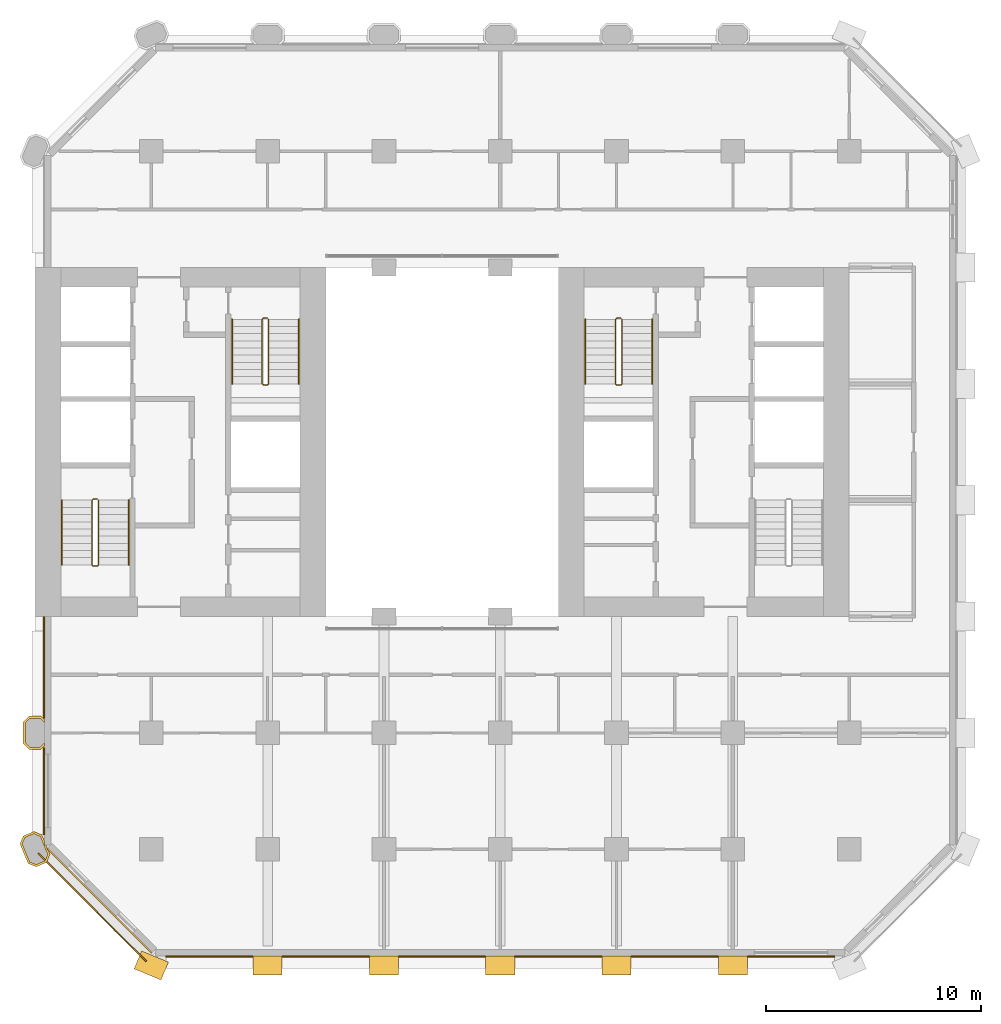
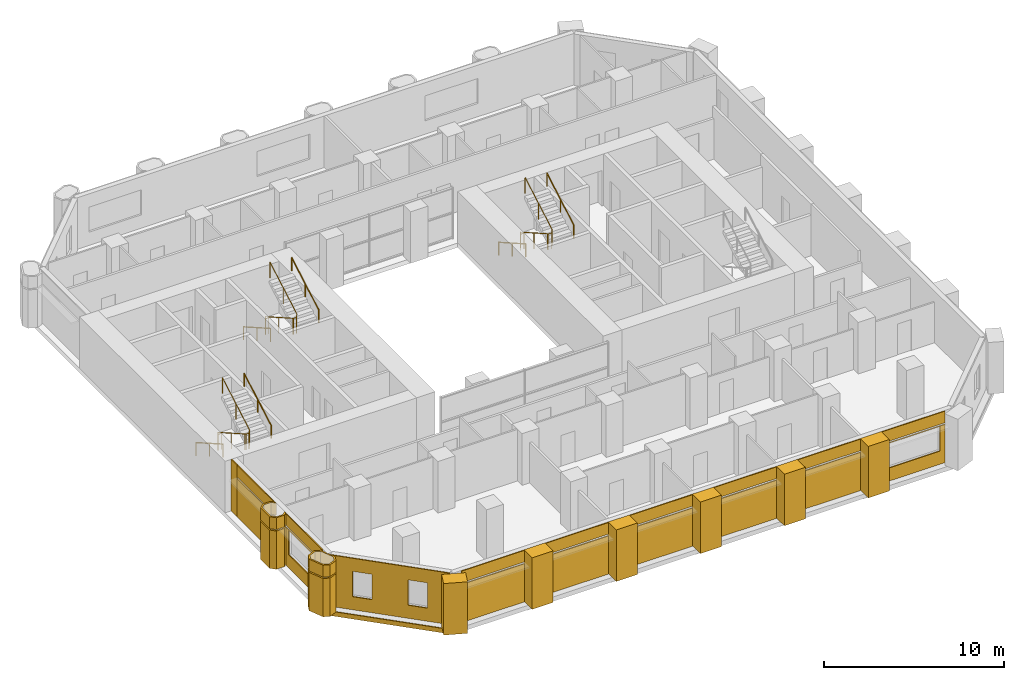
# One storey, part 12 of 13: 29 coverings, 9 railings.
"""IFC4 building model written with IfcOpenShell, lengths in metres."""

from ifc_helpers import new_model, si_unit, direction, frame, frame_2d, origin, origin_2d, place, context, subcontext, project, spatial, polyline, rectangle, circle, outline, extrude, material, layer, layer_set, type_object, element, save


model = new_model("IFC4")

# Units and contexts
model_context = context("Model", 3, precision=1e-05, world=origin(), true_north=direction((0.0, 1.0)))
body_context = subcontext(model_context, "Body", "Model", "MODEL_VIEW")
ifc_project = project(units=[si_unit("LENGTHUNIT", "METRE"), si_unit("AREAUNIT", "SQUARE_METRE"), si_unit("VOLUMEUNIT", "CUBIC_METRE"), si_unit("PLANEANGLEUNIT", "RADIAN"), si_unit("MASSUNIT", "GRAM", prefix="KILO")], contexts=[model_context])

# Site, building, storey
site_placement = place(None, origin())
site = spatial("IfcSite", under=ifc_project, at=site_placement, CompositionType="ELEMENT")
building_placement = place(site_placement, origin())
building = spatial("IfcBuilding", under=site, at=building_placement, Name="Tabaq Tower and Sports Hall", CompositionType="ELEMENT")
storey_placement = place(building_placement, frame((0.0, 0.0, 37.39990234375)))
storey = spatial("IfcBuildingStorey", under=building, at=storey_placement, Name="L07", CompositionType="ELEMENT", Elevation=37.39990234375)

# Coverings
ifc_material_1 = material(Name="Precast concrete C60/75", Category="concrete")
ifc_layer_1 = layer(ifc_material_1, 0.10009765625)
ifc_layer_set_1 = layer_set([ifc_layer_1], Name="Column cladding 100")
covering_type_1 = type_object("IfcCoveringType", Name="Column cladding 100", PredefinedType="CLADDING", material=ifc_layer_set_1)
covering_1_placement = place(storey_placement, origin())
element("IfcCovering", 1, at=covering_1_placement, inside=storey, type_object=covering_type_1, Name="Column cladding L07 PC-2B-O1", PredefinedType="CLADDING", context=body_context, shape_type="SweptSolid", body=[
    extrude(outline(polyline([(5.450439453125, 4.582275390625), (5.080078125, 4.73583984375), (4.7041015625, 5.6435546875), (4.857421875, 6.013916015625), (5.349609375, 6.217529296875), (5.7197265625, 6.064208984375), (5.849609375, 5.750732421875), (5.849609375, 5.586181640625), (5.91796875, 5.586181640625), (5.9814453125, 5.432373046875), (5.9501953125, 5.401123046875), (6.026123046875, 5.3251953125), (6.095947265625, 5.156494140625), (5.9423828125, 4.7861328125), (5.450439453125, 4.582275390625)]), holes=[polyline([(5.349609375, 6.110107421875), (4.93359375, 5.937744140625), (4.811767578125, 5.6435546875), (5.15625, 4.811767578125), (5.450439453125, 4.68994140625), (5.866455078125, 4.8623046875), (5.98828125, 5.156494140625), (5.643798828125, 5.98828125), (5.349609375, 6.110107421875)])]), origin(), (0.0, 0.0, 1.0), 2.60009765625),
])
covering_2_placement = place(storey_placement, frame((0.0, 0.0, 2.7001953125)))
element("IfcCovering", 2, at=covering_2_placement, inside=storey, type_object=covering_type_1, Name="Column cladding L07 PC-2B-O1 2", PredefinedType="CLADDING", context=body_context, shape_type="SweptSolid", body=[
    extrude(outline(polyline([(5.450439453125, 4.582275390625), (5.080078125, 4.73583984375), (4.7041015625, 5.6435546875), (4.857421875, 6.013916015625), (5.349609375, 6.217529296875), (5.7197265625, 6.064208984375), (5.849609375, 5.750732421875), (5.849609375, 5.586181640625), (5.91796875, 5.586181640625), (5.9814453125, 5.432373046875), (5.9501953125, 5.401123046875), (6.026123046875, 5.3251953125), (6.095947265625, 5.156494140625), (5.9423828125, 4.7861328125), (5.450439453125, 4.582275390625)]), holes=[polyline([(5.349609375, 6.110107421875), (4.93359375, 5.937744140625), (4.811767578125, 5.6435546875), (5.15625, 4.811767578125), (5.450439453125, 4.68994140625), (5.866455078125, 4.8623046875), (5.98828125, 5.156494140625), (5.643798828125, 5.98828125), (5.349609375, 6.110107421875)])]), origin(), (0.0, 0.0, 1.0), 0.7998046875),
])
covering_3_placement = place(storey_placement, origin())
element("IfcCovering", 3, at=covering_3_placement, inside=storey, type_object=covering_type_1, Name="Column cladding L07 PC-2C-O1", PredefinedType="CLADDING", context=body_context, shape_type="SweptSolid", body=[
    extrude(outline(polyline([(5.1337890625, 10.025390625), (4.850341796875, 10.30859375), (4.850341796875, 11.291259765625), (5.1337890625, 11.57470703125), (5.666259765625, 11.57470703125), (5.849609375, 11.391357421875), (5.849609375, 11.250732421875), (5.625244140625, 11.475341796875), (5.1748046875, 11.475341796875), (4.94970703125, 11.250244140625), (4.94970703125, 10.349853515625), (5.1748046875, 10.124755859375), (5.625244140625, 10.124755859375), (5.849609375, 10.349365234375), (5.849609375, 10.208740234375), (5.666259765625, 10.025390625), (5.1337890625, 10.025390625)])), origin(), (0.0, 0.0, 1.0), 2.60009765625),
])
covering_4_placement = place(storey_placement, frame((0.0, 0.0, 2.7001953125)))
element("IfcCovering", 4, at=covering_4_placement, inside=storey, type_object=covering_type_1, Name="Column cladding L07 PC-2C-O1 2", PredefinedType="CLADDING", context=body_context, shape_type="SweptSolid", body=[
    extrude(outline(polyline([(5.1337890625, 10.025390625), (4.850341796875, 10.30859375), (4.850341796875, 11.291259765625), (5.1337890625, 11.57470703125), (5.666259765625, 11.57470703125), (5.849609375, 11.391357421875), (5.849609375, 11.250732421875), (5.625244140625, 11.475341796875), (5.1748046875, 11.475341796875), (4.94970703125, 11.250244140625), (4.94970703125, 10.349853515625), (5.1748046875, 10.124755859375), (5.625244140625, 10.124755859375), (5.849609375, 10.349365234375), (5.849609375, 10.208740234375), (5.666259765625, 10.025390625), (5.1337890625, 10.025390625)])), origin(), (0.0, 0.0, 1.0), 0.7998046875),
])
ifc_material_2 = material(Name="Precast concrete C60/75", Category="concrete")
ifc_layer_2 = layer(ifc_material_2, 0.06005859375)
ifc_layer_set_2 = layer_set([ifc_layer_2], Name="Edge beam cladding 60")
covering_type_2 = type_object("IfcCoveringType", Name="Edge beam cladding 60", PredefinedType="CLADDING", material=ifc_layer_set_2)
covering_5_placement = place(storey_placement, frame((5.5556640625, 5.201904296875, -0.2998046875), z_axis=(0.0, 0.0, 1.0), x_axis=(0.707106781187, -0.707106781187, 0.0)))
element("IfcCovering", 5, at=covering_5_placement, inside=storey, type_object=covering_type_2, Name="Edge beam cladding L07 5", PredefinedType="CLADDING", context=body_context, shape_type="SweptSolid", body=[
    extrude(rectangle(XDim=7.087890625, YDim=0.06005859375, at=frame_2d((3.5439453125, 0.0))), origin(), (0.0, 0.0, 1.0), 0.2998046875),
])
ifc_material_3 = material(Name="White precast concrete C60/75", Category="concrete")
covering_type_3 = type_object("IfcCoveringType", Name="Pier cladding hung 1350x900", PredefinedType="CLADDING", material=ifc_material_3)
for number, where, z_axis, x_axis, name in (
    (6, (10.17626953125, 0.25830078125, 0.0), (0.0, 0.0, 1.0), (0.923893411637, -0.382649923473, 0.0), "Hung pier cladding 2/0"),
    (7, (15.52490234375, 0.0, 0.0), (0.0, 0.0, 1.0), (1.0, 0.0, 0.0), "Hung pier cladding 3/0"),
):
    element("IfcCovering", number, at=place(storey_placement, frame(where, z_axis=z_axis, x_axis=x_axis)), inside=storey, type_object=covering_type_3, Name=name, PredefinedType="CLADDING", context=body_context, shape_type="SweptSolid", body=[
        extrude(rectangle(XDim=1.35009765625, YDim=0.89990234375, at=frame_2d((0.675048828125, 0.0))), origin(), (0.0, 0.0, 1.0), 3.5),
    ])
covering_6_placement = place(storey_placement, frame((20.925048828125, 0.0, 0.0), z_axis=(0.0, 0.0, 1.0), x_axis=(1.0, 0.0, 0.0)))
element("IfcCovering", 8, at=covering_6_placement, inside=storey, type_object=covering_type_3, Name="Hung pier cladding 4/0", PredefinedType="CLADDING", context=body_context, shape_type="SweptSolid", body=[
    extrude(rectangle(XDim=1.349853515625, YDim=0.89990234375, at=frame_2d((0.6748046875, 0.0))), origin(), (0.0, 0.0, 1.0), 3.5),
])
covering_7_placement = place(storey_placement, frame((26.324951171875, 0.0, 0.0), z_axis=(0.0, 0.0, 1.0), x_axis=(1.0, 0.0, 0.0)))
element("IfcCovering", 9, at=covering_7_placement, inside=storey, type_object=covering_type_3, Name="Hung pier cladding 5/0", PredefinedType="CLADDING", context=body_context, shape_type="SweptSolid", body=[
    extrude(rectangle(XDim=1.35009765625, YDim=0.89990234375, at=frame_2d((0.675048828125, 0.0))), origin(), (0.0, 0.0, 1.0), 3.5),
])
covering_8_placement = place(storey_placement, frame((31.72509765625, 0.0, 0.0), z_axis=(0.0, 0.0, 1.0), x_axis=(1.0, 0.0, 0.0)))
element("IfcCovering", 10, at=covering_8_placement, inside=storey, type_object=covering_type_3, Name="Hung pier cladding 6/0", PredefinedType="CLADDING", context=body_context, shape_type="SweptSolid", body=[
    extrude(rectangle(XDim=1.349853515625, YDim=0.89990234375, at=frame_2d((0.6748046875, 0.0))), origin(), (0.0, 0.0, 1.0), 3.5),
])
covering_9_placement = place(storey_placement, frame((37.125, 0.0, 0.0), z_axis=(0.0, 0.0, 1.0), x_axis=(1.0, 0.0, 0.0)))
element("IfcCovering", 11, at=covering_9_placement, inside=storey, type_object=covering_type_3, Name="Hung pier cladding 7/0", PredefinedType="CLADDING", context=body_context, shape_type="SweptSolid", body=[
    extrude(rectangle(XDim=1.35009765625, YDim=0.89990234375, at=frame_2d((0.675048828125, 0.0))), origin(), (0.0, 0.0, 1.0), 3.5),
])

# Railings
ifc_material_4 = material(Name="Stainless steel", Category="steel")
railing_type_1 = type_object("IfcRailingType", Name="Stair guard", PredefinedType="GUARDRAIL", material=ifc_material_4)
railing_1_placement = place(storey_placement, frame((8.300048828125, 21.64990234375, 0.0)))
element("IfcRailing", 12, at=railing_1_placement, inside=storey, type_object=railing_type_1, Name="L07 ST1 stair guard 1", PredefinedType="GUARDRAIL", context=body_context, shape_type="SweptSolid", body=[
    extrude(circle(Radius=0.02392578125, at=origin_2d()), frame((0.0, 0.0, 1.076171875), z_axis=(-1.0, 0.0, 0.0), x_axis=(0.0, -1.0, 0.0)), (0.0, 0.0, 1.0), 0.199951171875),
    extrude(circle(Radius=0.02392578125, at=origin_2d()), frame((-0.199951171875, 0.0, 1.076171875), z_axis=(-0.246704845944, -0.245501407671, 0.937478414588), x_axis=(0.705375805398, -0.708833529934, 0.0)), (0.0, 0.0, 1.0), 0.202880859375),
    extrude(circle(Radius=0.02392578125, at=origin_2d()), frame((-0.25, -0.0498046875, 1.26611328125), z_axis=(0.0, -0.868782136927, 0.495194505781), x_axis=(1.0, 0.0, 0.0)), (0.0, 0.0, 1.0), 3.453125),
    extrude(circle(Radius=0.02392578125, at=origin_2d()), frame((-0.25, -3.0498046875, 2.97607421875), z_axis=(0.707106781187, -0.707106781187, 0.0), x_axis=(0.707106781187, 0.707106781187, 0.0)), (0.0, 0.0, 1.0), 0.07080078125),
    extrude(circle(Radius=0.02392578125, at=origin_2d()), frame((-0.199951171875, -3.099853515625, 2.97607421875), z_axis=(1.0, 0.0, 0.0), x_axis=(0.0, 1.0, 0.0)), (0.0, 0.0, 1.0), 0.199951171875),
    extrude(circle(Radius=0.02392578125, at=origin_2d()), frame((0.0, -3.099853515625, 2.97607421875), z_axis=(0.246910188598, 0.246910188598, 0.937054276727), x_axis=(-0.707106781187, 0.707106781187, 0.0)), (0.0, 0.0, 1.0), 0.20263671875),
    extrude(circle(Radius=0.02392578125, at=origin_2d()), frame((0.050048828125, -3.0498046875, 3.166015625), z_axis=(0.0, 0.868782136927, 0.495194505781), x_axis=(-1.0, 0.0, 0.0)), (0.0, 0.0, 1.0), 3.453125),
    extrude(circle(Radius=0.02099609375, at=origin_2d()), origin(), (0.0, 0.0, 1.0), 1.052001953125),
    extrude(circle(Radius=0.02099609375, at=origin_2d()), frame((-0.199951171875, 0.0, 0.0)), (0.0, 0.0, 1.0), 1.052001953125),
    extrude(circle(Radius=0.02099609375, at=origin_2d()), frame((-0.25, -0.0498046875, 0.190185546875)), (0.0, 0.0, 1.0), 1.052001953125),
    extrude(circle(Radius=0.02099609375, at=origin_2d()), frame((-0.25, -1.5498046875, 1.045166015625)), (0.0, 0.0, 1.0), 1.052001953125),
    extrude(circle(Radius=0.02099609375, at=origin_2d()), frame((-0.25, -3.0498046875, 1.900146484375)), (0.0, 0.0, 1.0), 1.052001953125),
    extrude(circle(Radius=0.02099609375, at=origin_2d()), frame((-0.199951171875, -3.099853515625, 1.900146484375)), (0.0, 0.0, 1.0), 1.052001953125),
    extrude(circle(Radius=0.02099609375, at=origin_2d()), frame((0.0, -3.099853515625, 1.900146484375)), (0.0, 0.0, 1.0), 1.052001953125),
    extrude(circle(Radius=0.02099609375, at=origin_2d()), frame((0.050048828125, -3.0498046875, 2.090087890625)), (0.0, 0.0, 1.0), 1.052001953125),
    extrude(circle(Radius=0.02099609375, at=origin_2d()), frame((0.050048828125, -1.5498046875, 2.945068359375)), (0.0, 0.0, 1.0), 1.052001953125),
    extrude(circle(Radius=0.02099609375, at=origin_2d()), frame((0.050048828125, -0.0498046875, 3.800048828125)), (0.0, 0.0, 1.0), 1.052001953125),
])
railing_2_placement = place(storey_placement, frame((16.199951171875, 30.050048828125, 0.0)))
element("IfcRailing", 13, at=railing_2_placement, inside=storey, type_object=railing_type_1, Name="L07 ST2 stair guard 1", PredefinedType="GUARDRAIL", context=body_context, shape_type="SweptSolid", body=[
    extrude(circle(Radius=0.02392578125, at=origin_2d()), frame((0.0, 0.0, 1.076171875), z_axis=(-1.0, 0.0, 0.0), x_axis=(0.0, -1.0, 0.0)), (0.0, 0.0, 1.0), 0.199951171875),
    extrude(circle(Radius=0.02392578125, at=origin_2d()), frame((-0.199951171875, 0.0, 1.076171875), z_axis=(-0.246631811833, -0.246631811833, 0.937200884967), x_axis=(0.707106781187, -0.707106781187, 0.0)), (0.0, 0.0, 1.0), 0.202880859375),
    extrude(circle(Radius=0.02392578125, at=origin_2d()), frame((-0.25, -0.050048828125, 1.26611328125), z_axis=(0.0, -0.868782136927, 0.495194505781), x_axis=(1.0, 0.0, 0.0)), (0.0, 0.0, 1.0), 3.453125),
    extrude(circle(Radius=0.02392578125, at=origin_2d()), frame((-0.25, -3.050048828125, 2.97607421875), z_axis=(0.707106781187, -0.707106781187, 0.0), x_axis=(0.707106781187, 0.707106781187, 0.0)), (0.0, 0.0, 1.0), 0.07080078125),
    extrude(circle(Radius=0.02392578125, at=origin_2d()), frame((-0.199951171875, -3.10009765625, 2.97607421875), z_axis=(1.0, 0.0, 0.0), x_axis=(0.0, 1.0, 0.0)), (0.0, 0.0, 1.0), 0.199951171875),
    extrude(circle(Radius=0.02392578125, at=origin_2d()), frame((0.0, -3.10009765625, 2.97607421875), z_axis=(0.246910188598, 0.246910188598, 0.937054276727), x_axis=(-0.707106781187, 0.707106781187, 0.0)), (0.0, 0.0, 1.0), 0.20263671875),
    extrude(circle(Radius=0.02392578125, at=origin_2d()), frame((0.050048828125, -3.050048828125, 3.166015625), z_axis=(0.0, 0.868782136927, 0.495194505781), x_axis=(-1.0, 0.0, 0.0)), (0.0, 0.0, 1.0), 3.453125),
    extrude(circle(Radius=0.02099609375, at=origin_2d()), origin(), (0.0, 0.0, 1.0), 1.052001953125),
    extrude(circle(Radius=0.02099609375, at=origin_2d()), frame((-0.199951171875, 0.0, 0.0)), (0.0, 0.0, 1.0), 1.052001953125),
    extrude(circle(Radius=0.02099609375, at=origin_2d()), frame((-0.25, -0.050048828125, 0.190185546875)), (0.0, 0.0, 1.0), 1.052001953125),
    extrude(circle(Radius=0.02099609375, at=origin_2d()), frame((-0.25, -1.550048828125, 1.045166015625)), (0.0, 0.0, 1.0), 1.052001953125),
    extrude(circle(Radius=0.02099609375, at=origin_2d()), frame((-0.25, -3.050048828125, 1.900146484375)), (0.0, 0.0, 1.0), 1.052001953125),
    extrude(circle(Radius=0.02099609375, at=origin_2d()), frame((-0.199951171875, -3.10009765625, 1.900146484375)), (0.0, 0.0, 1.0), 1.052001953125),
    extrude(circle(Radius=0.02099609375, at=origin_2d()), frame((0.0, -3.10009765625, 1.900146484375)), (0.0, 0.0, 1.0), 1.052001953125),
    extrude(circle(Radius=0.02099609375, at=origin_2d()), frame((0.050048828125, -3.050048828125, 2.090087890625)), (0.0, 0.0, 1.0), 1.052001953125),
    extrude(circle(Radius=0.02099609375, at=origin_2d()), frame((0.050048828125, -1.550048828125, 2.945068359375)), (0.0, 0.0, 1.0), 1.052001953125),
    extrude(circle(Radius=0.02099609375, at=origin_2d()), frame((0.050048828125, -0.050048828125, 3.800048828125)), (0.0, 0.0, 1.0), 1.052001953125),
])
railing_3_placement = place(storey_placement, frame((32.60009765625, 30.050048828125, 0.0)))
element("IfcRailing", 14, at=railing_3_placement, inside=storey, type_object=railing_type_1, Name="L07 ST4 stair guard 1", PredefinedType="GUARDRAIL", context=body_context, shape_type="SweptSolid", body=[
    extrude(circle(Radius=0.02392578125, at=origin_2d()), frame((0.0, 0.0, 1.076171875), z_axis=(-1.0, 0.0, 0.0), x_axis=(0.0, -1.0, 0.0)), (0.0, 0.0, 1.0), 0.2001953125),
    extrude(circle(Radius=0.02392578125, at=origin_2d()), frame((-0.2001953125, 0.0, 1.076171875), z_axis=(-0.245501407671, -0.246704845944, 0.937478414588), x_axis=(0.708833529934, -0.705375805398, 0.0)), (0.0, 0.0, 1.0), 0.202880859375),
    extrude(circle(Radius=0.02392578125, at=origin_2d()), frame((-0.25, -0.050048828125, 1.26611328125), z_axis=(0.0, -0.868782136927, 0.495194505781), x_axis=(1.0, 0.0, 0.0)), (0.0, 0.0, 1.0), 3.453125),
    extrude(circle(Radius=0.02392578125, at=origin_2d()), frame((-0.25, -3.050048828125, 2.97607421875), z_axis=(0.705375805398, -0.708833529934, 0.0), x_axis=(0.708833529934, 0.705375805398, 0.0)), (0.0, 0.0, 1.0), 0.070556640625),
    extrude(circle(Radius=0.02392578125, at=origin_2d()), frame((-0.2001953125, -3.10009765625, 2.97607421875), z_axis=(1.0, 0.0, 0.0), x_axis=(0.0, 1.0, 0.0)), (0.0, 0.0, 1.0), 0.2001953125),
    extrude(circle(Radius=0.02392578125, at=origin_2d()), frame((0.0, -3.10009765625, 2.97607421875), z_axis=(0.245778672949, 0.246983470365, 0.937332389972), x_axis=(-0.708833529934, 0.705375805398, 0.0)), (0.0, 0.0, 1.0), 0.20263671875),
    extrude(circle(Radius=0.02392578125, at=origin_2d()), frame((0.0498046875, -3.050048828125, 3.166015625), z_axis=(0.0, 0.868782136927, 0.495194505781), x_axis=(-1.0, 0.0, 0.0)), (0.0, 0.0, 1.0), 3.453125),
    extrude(circle(Radius=0.02099609375, at=origin_2d()), origin(), (0.0, 0.0, 1.0), 1.052001953125),
    extrude(circle(Radius=0.02099609375, at=origin_2d()), frame((-0.2001953125, 0.0, 0.0)), (0.0, 0.0, 1.0), 1.052001953125),
    extrude(circle(Radius=0.02099609375, at=origin_2d()), frame((-0.25, -0.050048828125, 0.190185546875)), (0.0, 0.0, 1.0), 1.052001953125),
    extrude(circle(Radius=0.02099609375, at=origin_2d()), frame((-0.25, -1.550048828125, 1.045166015625)), (0.0, 0.0, 1.0), 1.052001953125),
    extrude(circle(Radius=0.02099609375, at=origin_2d()), frame((-0.25, -3.050048828125, 1.900146484375)), (0.0, 0.0, 1.0), 1.052001953125),
    extrude(circle(Radius=0.02099609375, at=origin_2d()), frame((-0.2001953125, -3.10009765625, 1.900146484375)), (0.0, 0.0, 1.0), 1.052001953125),
    extrude(circle(Radius=0.02099609375, at=origin_2d()), frame((0.0, -3.10009765625, 1.900146484375)), (0.0, 0.0, 1.0), 1.052001953125),
    extrude(circle(Radius=0.02099609375, at=origin_2d()), frame((0.0498046875, -3.050048828125, 2.090087890625)), (0.0, 0.0, 1.0), 1.052001953125),
    extrude(circle(Radius=0.02099609375, at=origin_2d()), frame((0.0498046875, -1.550048828125, 2.945068359375)), (0.0, 0.0, 1.0), 1.052001953125),
    extrude(circle(Radius=0.02099609375, at=origin_2d()), frame((0.0498046875, -0.050048828125, 3.800048828125)), (0.0, 0.0, 1.0), 1.052001953125),
])
ifc_material_5 = material(Name="Stainless steel", Category="steel")
railing_type_2 = type_object("IfcRailingType", Name="Stair handrail", PredefinedType="HANDRAIL", material=ifc_material_5)
railing_4_placement = place(storey_placement, frame((6.64990234375, 21.60009765625, 0.190185546875)))
element("IfcRailing", 15, at=railing_4_placement, inside=storey, type_object=railing_type_2, Name="L07 ST1 stair handrail 1", PredefinedType="HANDRAIL", context=body_context, shape_type="SweptSolid", body=[
    extrude(circle(Radius=0.02392578125, at=origin_2d()), frame((0.0, 0.0, 0.8759765625), z_axis=(0.0, -0.868782136927, 0.495194505781), x_axis=(1.0, 0.0, 0.0)), (0.0, 0.0, 1.0), 3.453125),
    extrude(circle(Radius=0.02099609375, at=origin_2d()), origin(), (0.0, 0.0, 1.0), 0.851806640625),
    extrude(circle(Radius=0.02099609375, at=origin_2d()), frame((0.0, -1.5, 0.85498046875)), (0.0, 0.0, 1.0), 0.851806640625),
    extrude(circle(Radius=0.02099609375, at=origin_2d()), frame((0.0, -3.0, 1.7099609375)), (0.0, 0.0, 1.0), 0.851806640625),
])
railing_5_placement = place(storey_placement, frame((9.75, 18.60009765625, 2.090087890625)))
element("IfcRailing", 16, at=railing_5_placement, inside=storey, type_object=railing_type_2, Name="L07 ST1 stair handrail 2", PredefinedType="HANDRAIL", context=body_context, shape_type="SweptSolid", body=[
    extrude(circle(Radius=0.02392578125, at=origin_2d()), frame((0.0, 0.0, 0.8759765625), z_axis=(0.0, 0.868782136927, 0.495194505781), x_axis=(-1.0, 0.0, 0.0)), (0.0, 0.0, 1.0), 3.453125),
    extrude(circle(Radius=0.02099609375, at=origin_2d()), origin(), (0.0, 0.0, 1.0), 0.851806640625),
    extrude(circle(Radius=0.02099609375, at=origin_2d()), frame((0.0, 1.5, 0.85498046875)), (0.0, 0.0, 1.0), 0.851806640625),
    extrude(circle(Radius=0.02099609375, at=origin_2d()), frame((0.0, 3.0, 1.7099609375)), (0.0, 0.0, 1.0), 0.851806640625),
])
railing_6_placement = place(storey_placement, frame((14.550048828125, 30.0, 0.190185546875)))
element("IfcRailing", 17, at=railing_6_placement, inside=storey, type_object=railing_type_2, Name="L07 ST2 stair handrail 1", PredefinedType="HANDRAIL", context=body_context, shape_type="SweptSolid", body=[
    extrude(circle(Radius=0.02392578125, at=origin_2d()), frame((0.0, 0.0, 0.8759765625), z_axis=(0.0, -0.868782136927, 0.495194505781), x_axis=(1.0, 0.0, 0.0)), (0.0, 0.0, 1.0), 3.453125),
    extrude(circle(Radius=0.02099609375, at=origin_2d()), origin(), (0.0, 0.0, 1.0), 0.851806640625),
    extrude(circle(Radius=0.02099609375, at=origin_2d()), frame((0.0, -1.5, 0.85498046875)), (0.0, 0.0, 1.0), 0.851806640625),
    extrude(circle(Radius=0.02099609375, at=origin_2d()), frame((0.0, -3.0, 1.7099609375)), (0.0, 0.0, 1.0), 0.851806640625),
])
railing_7_placement = place(storey_placement, frame((17.64990234375, 27.0, 2.090087890625)))
element("IfcRailing", 18, at=railing_7_placement, inside=storey, type_object=railing_type_2, Name="L07 ST2 stair handrail 2", PredefinedType="HANDRAIL", context=body_context, shape_type="SweptSolid", body=[
    extrude(circle(Radius=0.02392578125, at=origin_2d()), frame((0.0, 0.0, 0.8759765625), z_axis=(0.0, 0.868782136927, 0.495194505781), x_axis=(-1.0, 0.0, 0.0)), (0.0, 0.0, 1.0), 3.453125),
    extrude(circle(Radius=0.02099609375, at=origin_2d()), origin(), (0.0, 0.0, 1.0), 0.851806640625),
    extrude(circle(Radius=0.02099609375, at=origin_2d()), frame((0.0, 1.5, 0.85498046875)), (0.0, 0.0, 1.0), 0.851806640625),
    extrude(circle(Radius=0.02099609375, at=origin_2d()), frame((0.0, 3.0, 1.7099609375)), (0.0, 0.0, 1.0), 0.851806640625),
])
railing_8_placement = place(storey_placement, frame((30.949951171875, 30.0, 0.190185546875)))
element("IfcRailing", 19, at=railing_8_placement, inside=storey, type_object=railing_type_2, Name="L07 ST4 stair handrail 1", PredefinedType="HANDRAIL", context=body_context, shape_type="SweptSolid", body=[
    extrude(circle(Radius=0.02392578125, at=origin_2d()), frame((0.0, 0.0, 0.8759765625), z_axis=(0.0, -0.868782136927, 0.495194505781), x_axis=(1.0, 0.0, 0.0)), (0.0, 0.0, 1.0), 3.453125),
    extrude(circle(Radius=0.02099609375, at=origin_2d()), origin(), (0.0, 0.0, 1.0), 0.851806640625),
    extrude(circle(Radius=0.02099609375, at=origin_2d()), frame((0.0, -1.5, 0.85498046875)), (0.0, 0.0, 1.0), 0.851806640625),
    extrude(circle(Radius=0.02099609375, at=origin_2d()), frame((0.0, -3.0, 1.7099609375)), (0.0, 0.0, 1.0), 0.851806640625),
])
railing_9_placement = place(storey_placement, frame((34.050048828125, 27.0, 2.090087890625)))
element("IfcRailing", 20, at=railing_9_placement, inside=storey, type_object=railing_type_2, Name="L07 ST4 stair handrail 2", PredefinedType="HANDRAIL", context=body_context, shape_type="SweptSolid", body=[
    extrude(circle(Radius=0.02392578125, at=origin_2d()), frame((0.0, 0.0, 0.8759765625), z_axis=(0.0, 0.868782136927, 0.495194505781), x_axis=(-1.0, 0.0, 0.0)), (0.0, 0.0, 1.0), 3.453125),
    extrude(circle(Radius=0.02099609375, at=origin_2d()), origin(), (0.0, 0.0, 1.0), 0.851806640625),
    extrude(circle(Radius=0.02099609375, at=origin_2d()), frame((0.0, 1.5, 0.85498046875)), (0.0, 0.0, 1.0), 0.851806640625),
    extrude(circle(Radius=0.02099609375, at=origin_2d()), frame((0.0, 3.0, 1.7099609375)), (0.0, 0.0, 1.0), 0.851806640625),
])

# Coverings
ifc_material_6 = material(Name="Precast concrete C60/75", Category="concrete")
ifc_layer_3 = layer(ifc_material_6, 0.06005859375)
ifc_layer_set_3 = layer_set([ifc_layer_3], Name="White precast cladding panel 60 C60/75")
covering_type_4 = type_object("IfcCoveringType", Name="White precast cladding panel 60 C60/75", PredefinedType="CLADDING", material=ifc_layer_set_3)
covering_10_placement = place(storey_placement, frame((11.465087890625, 0.419921875, 0.0), z_axis=(0.0, 0.0, 1.0), x_axis=(1.0, 0.0, 0.0)))
element("IfcCovering", 21, at=covering_10_placement, inside=storey, type_object=covering_type_4, Name="White precast cladding panel L07 wall00", PredefinedType="CLADDING", context=body_context, shape_type="SweptSolid", body=[
    extrude(rectangle(XDim=4.0498046875, YDim=0.06005859375, at=frame_2d((2.02490234375, 0.0))), origin(), (0.0, 0.0, 1.0), 2.590087890625),
])
covering_11_placement = place(storey_placement, frame((11.465087890625, 0.419921875, 2.710205078125), z_axis=(0.0, 0.0, 1.0), x_axis=(1.0, 0.0, 0.0)))
element("IfcCovering", 22, at=covering_11_placement, inside=storey, type_object=covering_type_4, Name="White precast cladding panel L07 wall00 2", PredefinedType="CLADDING", context=body_context, shape_type="SweptSolid", body=[
    extrude(rectangle(XDim=4.0498046875, YDim=0.06005859375, at=frame_2d((2.02490234375, 0.0))), origin(), (0.0, 0.0, 1.0), 0.789794921875),
])
covering_12_placement = place(storey_placement, frame((16.885009765625, 0.419921875, 0.0), z_axis=(0.0, 0.0, 1.0), x_axis=(1.0, 0.0, 0.0)))
element("IfcCovering", 23, at=covering_12_placement, inside=storey, type_object=covering_type_4, Name="White precast cladding panel L07 wall00 3", PredefinedType="CLADDING", context=body_context, shape_type="SweptSolid", body=[
    extrude(rectangle(XDim=4.030029296875, YDim=0.06005859375, at=frame_2d((2.01513671875, 0.0))), origin(), (0.0, 0.0, 1.0), 2.590087890625),
])
covering_13_placement = place(storey_placement, frame((16.885009765625, 0.419921875, 2.710205078125), z_axis=(0.0, 0.0, 1.0), x_axis=(1.0, 0.0, 0.0)))
element("IfcCovering", 24, at=covering_13_placement, inside=storey, type_object=covering_type_4, Name="White precast cladding panel L07 wall00 4", PredefinedType="CLADDING", context=body_context, shape_type="SweptSolid", body=[
    extrude(rectangle(XDim=4.030029296875, YDim=0.06005859375, at=frame_2d((2.01513671875, 0.0))), origin(), (0.0, 0.0, 1.0), 0.789794921875),
])
covering_14_placement = place(storey_placement, frame((22.284912109375, 0.419921875, 0.0), z_axis=(0.0, 0.0, 1.0), x_axis=(1.0, 0.0, 0.0)))
element("IfcCovering", 25, at=covering_14_placement, inside=storey, type_object=covering_type_4, Name="White precast cladding panel L07 wall00 5", PredefinedType="CLADDING", context=body_context, shape_type="SweptSolid", body=[
    extrude(rectangle(XDim=4.030029296875, YDim=0.06005859375, at=frame_2d((2.01513671875, 0.0))), origin(), (0.0, 0.0, 1.0), 2.590087890625),
])
covering_15_placement = place(storey_placement, frame((22.284912109375, 0.419921875, 2.710205078125), z_axis=(0.0, 0.0, 1.0), x_axis=(1.0, 0.0, 0.0)))
element("IfcCovering", 26, at=covering_15_placement, inside=storey, type_object=covering_type_4, Name="White precast cladding panel L07 wall00 6", PredefinedType="CLADDING", context=body_context, shape_type="SweptSolid", body=[
    extrude(rectangle(XDim=4.030029296875, YDim=0.06005859375, at=frame_2d((2.01513671875, 0.0))), origin(), (0.0, 0.0, 1.0), 0.789794921875),
])
covering_16_placement = place(storey_placement, frame((27.68505859375, 0.419921875, 0.0), z_axis=(0.0, 0.0, 1.0), x_axis=(1.0, 0.0, 0.0)))
element("IfcCovering", 27, at=covering_16_placement, inside=storey, type_object=covering_type_4, Name="White precast cladding panel L07 wall00 7", PredefinedType="CLADDING", context=body_context, shape_type="SweptSolid", body=[
    extrude(rectangle(XDim=4.030029296875, YDim=0.06005859375, at=frame_2d((2.01513671875, 0.0))), origin(), (0.0, 0.0, 1.0), 2.590087890625),
])
covering_17_placement = place(storey_placement, frame((27.68505859375, 0.419921875, 2.710205078125), z_axis=(0.0, 0.0, 1.0), x_axis=(1.0, 0.0, 0.0)))
element("IfcCovering", 28, at=covering_17_placement, inside=storey, type_object=covering_type_4, Name="White precast cladding panel L07 wall00 8", PredefinedType="CLADDING", context=body_context, shape_type="SweptSolid", body=[
    extrude(rectangle(XDim=4.030029296875, YDim=0.06005859375, at=frame_2d((2.01513671875, 0.0))), origin(), (0.0, 0.0, 1.0), 0.789794921875),
])
covering_18_placement = place(storey_placement, frame((33.0849609375, 0.419921875, 0.0), z_axis=(0.0, 0.0, 1.0), x_axis=(1.0, 0.0, 0.0)))
element("IfcCovering", 29, at=covering_18_placement, inside=storey, type_object=covering_type_4, Name="White precast cladding panel L07 wall00 9", PredefinedType="CLADDING", context=body_context, shape_type="SweptSolid", body=[
    extrude(rectangle(XDim=4.030029296875, YDim=0.06005859375, at=frame_2d((2.01513671875, 0.0))), origin(), (0.0, 0.0, 1.0), 2.590087890625),
])
covering_19_placement = place(storey_placement, frame((33.0849609375, 0.419921875, 2.710205078125), z_axis=(0.0, 0.0, 1.0), x_axis=(1.0, 0.0, 0.0)))
element("IfcCovering", 30, at=covering_19_placement, inside=storey, type_object=covering_type_4, Name="White precast cladding panel L07 wall00 10", PredefinedType="CLADDING", context=body_context, shape_type="SweptSolid", body=[
    extrude(rectangle(XDim=4.030029296875, YDim=0.06005859375, at=frame_2d((2.01513671875, 0.0))), origin(), (0.0, 0.0, 1.0), 0.789794921875),
])
covering_20_placement = place(storey_placement, frame((38.485107421875, 0.419921875, 0.0), z_axis=(0.0, 0.0, 1.0), x_axis=(1.0, 0.0, 0.0)))
element("IfcCovering", 31, at=covering_20_placement, inside=storey, type_object=covering_type_4, Name="White precast cladding panel L07 wall00 11", PredefinedType="CLADDING", context=body_context, shape_type="SweptSolid", body=[
    extrude(outline(polyline([(0.0, 0.0), (4.0498046875, 0.0), (4.0498046875, 2.590087890625), (0.0, 2.590087890625), (0.0, 0.0)]), holes=[polyline([(3.72509765625, 0.89013671875), (0.304931640625, 0.89013671875), (0.304931640625, 2.56005859375), (3.72509765625, 2.56005859375), (3.72509765625, 0.89013671875)])]), frame((0.0, 0.030029296875, 0.0), z_axis=(0.0, -1.0, 0.0), x_axis=(1.0, 0.0, 0.0)), (0.0, 0.0, 1.0), 0.06005859375),
])
covering_21_placement = place(storey_placement, frame((38.485107421875, 0.419921875, 2.710205078125), z_axis=(0.0, 0.0, 1.0), x_axis=(1.0, 0.0, 0.0)))
element("IfcCovering", 32, at=covering_21_placement, inside=storey, type_object=covering_type_4, Name="White precast cladding panel L07 wall00 12", PredefinedType="CLADDING", context=body_context, shape_type="SweptSolid", body=[
    extrude(rectangle(XDim=4.0498046875, YDim=0.06005859375, at=frame_2d((2.02490234375, 0.0))), origin(), (0.0, 0.0, 1.0), 0.789794921875),
])
covering_22_placement = place(storey_placement, frame((5.820068359375, 16.199951171875, 0.0), z_axis=(0.0, 0.0, 1.0), x_axis=(0.0, -1.0, 0.0)))
element("IfcCovering", 33, at=covering_22_placement, inside=storey, type_object=covering_type_4, Name="White precast cladding panel L07 wall06-1", PredefinedType="CLADDING", context=body_context, shape_type="SweptSolid", body=[
    extrude(rectangle(XDim=0.6650390625, YDim=0.06005859375, at=frame_2d((0.33251953125, 0.0))), origin(), (0.0, 0.0, 1.0), 3.5),
])
covering_23_placement = place(storey_placement, frame((5.820068359375, 15.534912109375, 0.0), z_axis=(0.0, 0.0, 1.0), x_axis=(0.0, -1.0, 0.0)))
element("IfcCovering", 34, at=covering_23_placement, inside=storey, type_object=covering_type_4, Name="White precast cladding panel L07 wall06-1 2", PredefinedType="CLADDING", context=body_context, shape_type="SweptSolid", body=[
    extrude(rectangle(XDim=4.0498046875, YDim=0.06005859375, at=frame_2d((2.02490234375, 0.0))), origin(), (0.0, 0.0, 1.0), 2.590087890625),
])
covering_24_placement = place(storey_placement, frame((5.820068359375, 15.534912109375, 2.710205078125), z_axis=(0.0, 0.0, 1.0), x_axis=(0.0, -1.0, 0.0)))
element("IfcCovering", 35, at=covering_24_placement, inside=storey, type_object=covering_type_4, Name="White precast cladding panel L07 wall06-1 3", PredefinedType="CLADDING", context=body_context, shape_type="SweptSolid", body=[
    extrude(rectangle(XDim=4.0498046875, YDim=0.06005859375, at=frame_2d((2.02490234375, 0.0))), origin(), (0.0, 0.0, 1.0), 0.789794921875),
])
covering_25_placement = place(storey_placement, frame((5.820068359375, 10.114990234375, 0.0), z_axis=(0.0, 0.0, 1.0), x_axis=(0.0, -1.0, 0.0)))
element("IfcCovering", 36, at=covering_25_placement, inside=storey, type_object=covering_type_4, Name="White precast cladding panel L07 wall06-1 4", PredefinedType="CLADDING", context=body_context, shape_type="SweptSolid", body=[
    extrude(outline(polyline([(0.0, 0.0), (4.050048828125, 0.0), (4.050048828125, 2.590087890625), (0.0, 2.590087890625), (0.0, 0.0)]), holes=[polyline([(3.72509765625, 0.89013671875), (0.304931640625, 0.89013671875), (0.304931640625, 2.56005859375), (3.72509765625, 2.56005859375), (3.72509765625, 0.89013671875)])]), frame((0.0, 0.030029296875, 0.0), z_axis=(0.0, -1.0, 0.0), x_axis=(1.0, 0.0, 0.0)), (0.0, 0.0, 1.0), 0.06005859375),
])
covering_26_placement = place(storey_placement, frame((5.820068359375, 10.114990234375, 2.710205078125), z_axis=(0.0, 0.0, 1.0), x_axis=(0.0, -1.0, 0.0)))
element("IfcCovering", 37, at=covering_26_placement, inside=storey, type_object=covering_type_4, Name="White precast cladding panel L07 wall06-1 5", PredefinedType="CLADDING", context=body_context, shape_type="SweptSolid", body=[
    extrude(rectangle(XDim=4.050048828125, YDim=0.06005859375, at=frame_2d((2.02490234375, 0.0))), origin(), (0.0, 0.0, 1.0), 0.789794921875),
])
covering_27_placement = place(storey_placement, frame((5.9716796875, 5.42236328125, 0.0), z_axis=(0.0, 0.0, 1.0), x_axis=(0.707106781187, -0.707106781187, 0.0)))
element("IfcCovering", 38, at=covering_27_placement, inside=storey, type_object=covering_type_4, Name="White precast cladding panel L07 wall07", PredefinedType="CLADDING", context=body_context, shape_type="SweptSolid", body=[
    extrude(outline(polyline([(0.0, 0.0), (6.85986328125, 0.0), (6.85986328125, 3.5), (0.0, 3.5), (0.0, 0.0)]), holes=[polyline([(1.269775390625, 2.610107421875), (2.389892578125, 2.610107421875), (2.389892578125, 0.89013671875), (1.269775390625, 0.89013671875), (1.269775390625, 2.610107421875)]), polyline([(4.4697265625, 2.610107421875), (5.58984375, 2.610107421875), (5.58984375, 0.89013671875), (4.4697265625, 0.89013671875), (4.4697265625, 2.610107421875)])]), frame((0.0, 0.030029296875, 0.0), z_axis=(0.0, -1.0, 0.0), x_axis=(1.0, 0.0, 0.0)), (0.0, 0.0, 1.0), 0.06005859375),
])

save(model, "model.ifc")
